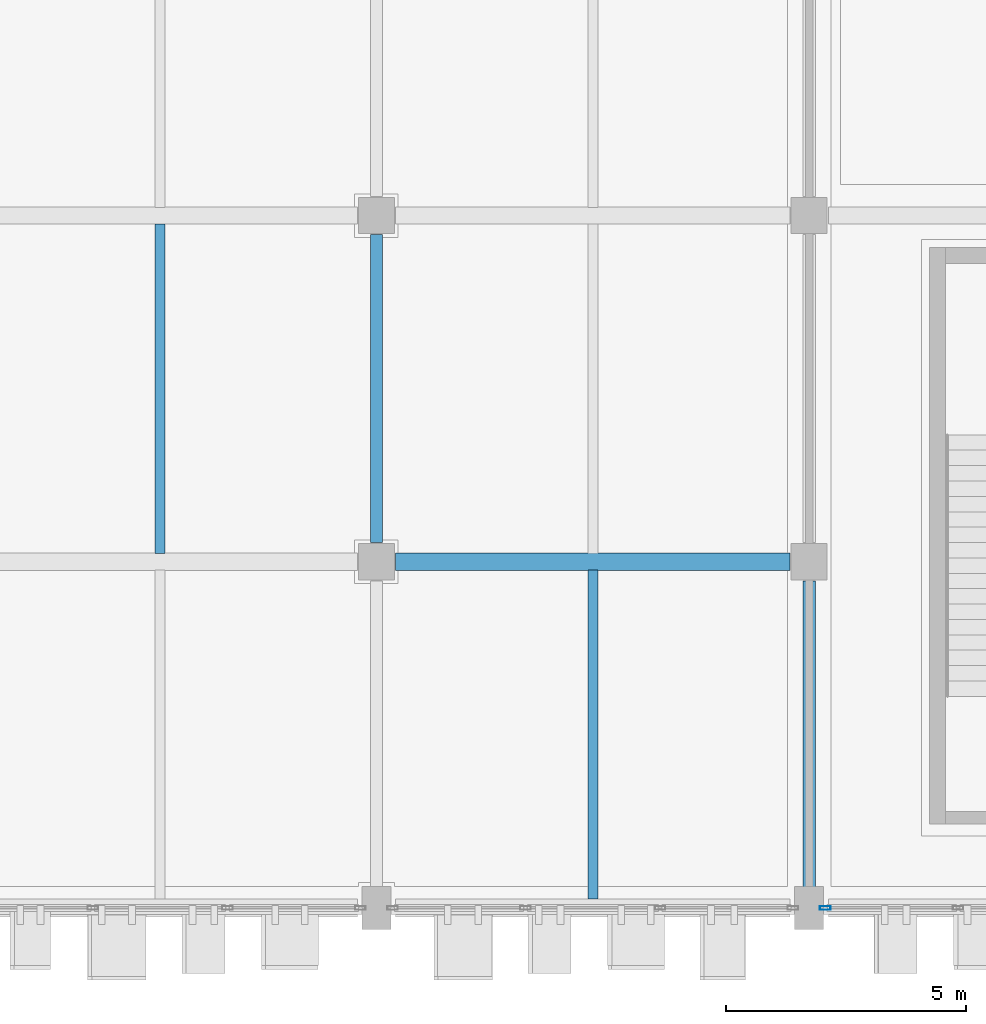
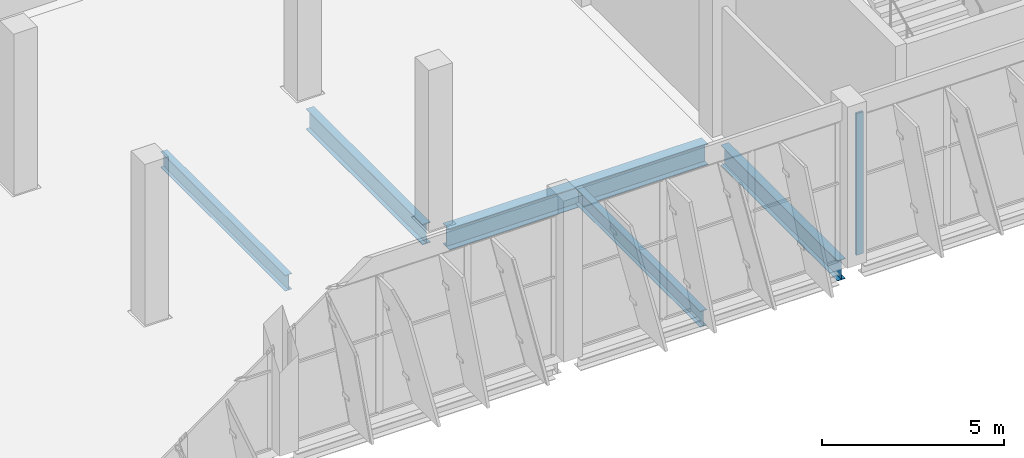
# One storey, part 46 of 137: 5 beams, 1 member, 1 element without a shape of its own.
"""IFC4 building model written with IfcOpenShell, lengths in metres."""

import ifcopenshell
import ifcopenshell.guid

model = None  # the IFC model being written
_history = None  # IfcOwnerHistory: only IFC2X3 demands one
_inside = {}  # id of a spatial element -> (the spatial element, [elements in it])
_under = {}  # id of a project, library or spatial element -> (it, [spatial elements below it])
_declared = {}  # id of a project -> (the project, [libraries it declares])
_typed = {}  # id of a type object -> (the type object, [elements of that type])
_made_of = {}  # id of a material, layer set ... -> (it, [elements and type objects made of it])


def new_model(schema):
    """Start an empty IFC model of exactly this schema.

    Asked for "IFC4X3", IfcOpenShell would pick the latest addendum, in which some entities
    have other attributes; the version numbers below select the first issue.
    IFC2X3 requires an IfcOwnerHistory on every rooted entity: one is made here for all.
    """
    global model, _history
    if schema == "IFC4X3":
        model = ifcopenshell.file(schema_version=(4, 3, 0, 0))
    else:
        model = ifcopenshell.file(schema=schema)
    _inside.clear()
    _under.clear()
    _declared.clear()
    _typed.clear()
    _made_of.clear()
    _history = None
    if model.schema == "IFC2X3":
        org = make("IfcOrganization", Name="unknown")
        user = make(
            "IfcPersonAndOrganization",
            ThePerson=make("IfcPerson", FamilyName="unknown"),
            TheOrganization=org,
        )
        app = make(
            "IfcApplication",
            ApplicationDeveloper=org,
            Version="unknown",
            ApplicationFullName="unknown",
            ApplicationIdentifier="unknown",
        )
        _history = make(
            "IfcOwnerHistory",
            OwningUser=user,
            OwningApplication=app,
            ChangeAction="ADDED",
            CreationDate=0,
        )
    return model


def make(cls, **values):
    """One entity of the class cls with the attributes given. An attribute that is None is left unset."""
    return model.create_entity(
        cls, **{name: value for name, value in values.items() if value is not None}
    )


def rooted(cls, **values):
    """An entity with a GlobalId (a new one), such as an element, a storey or a relation."""
    return make(cls, GlobalId=ifcopenshell.guid.new(), OwnerHistory=_history, **values)


def si_unit(unit_type, name, prefix=None):
    """IfcSIUnit, for example si_unit("LENGTHUNIT", "METRE", prefix="MILLI")."""
    return make("IfcSIUnit", UnitType=unit_type, Prefix=prefix, Name=name)


def assignment(units):
    """IfcUnitAssignment: the units of a project."""
    return None if units is None else make("IfcUnitAssignment", Units=units)


def point(xyz):
    """IfcCartesianPoint."""
    return None if xyz is None else make("IfcCartesianPoint", Coordinates=xyz)


def direction(xyz):
    """IfcDirection."""
    return None if xyz is None else make("IfcDirection", DirectionRatios=xyz)


def frame(location, z_axis=None, x_axis=None):
    """IfcAxis2Placement3D, a coordinate frame: its origin and axes. An axis left out is left unset."""
    return make(
        "IfcAxis2Placement3D",
        Location=point(location),
        Axis=direction(z_axis),
        RefDirection=direction(x_axis),
    )


def frame_2d(location, x_axis=None):
    """IfcAxis2Placement2D, a coordinate frame in the plane: its origin and x axis."""
    return make(
        "IfcAxis2Placement2D", Location=point(location), RefDirection=direction(x_axis)
    )


def origin():
    """The frame at (0, 0, 0) with its axes left unset."""
    return frame((0.0, 0.0, 0.0))


def origin_2d():
    """The frame at (0, 0) in the plane with its x axis left unset."""
    return frame_2d((0.0, 0.0))


def place(relative_to, where):
    """IfcLocalPlacement: puts the frame where relative to a parent placement (None: the world)."""
    return make(
        "IfcLocalPlacement", PlacementRelTo=relative_to, RelativePlacement=where
    )


def context(
    kind, dimensions, precision=None, world=None, true_north=None, identifier=None
):
    """IfcGeometricRepresentationContext, for example the 3D "Model" context."""
    return make(
        "IfcGeometricRepresentationContext",
        ContextIdentifier=identifier,
        ContextType=kind,
        CoordinateSpaceDimension=dimensions,
        Precision=precision,
        WorldCoordinateSystem=world,
        TrueNorth=true_north,
    )


def subcontext(parent, identifier, kind, view, scale=None):
    """IfcGeometricRepresentationSubContext, for example "Body" below "Model"."""
    return make(
        "IfcGeometricRepresentationSubContext",
        ContextIdentifier=identifier,
        ContextType=kind,
        ParentContext=parent,
        TargetScale=scale,
        TargetView=view,
    )


def project(units=None, contexts=None):
    """IfcProject with its units and contexts."""
    return rooted(
        "IfcProject",
        Name="project",
        RepresentationContexts=contexts,
        UnitsInContext=assignment(units),
    )


def spatial(cls, under=None, at=None, **own):
    """A site, building, storey or space (cls), placed at a placement, below another one or the project."""
    s = rooted(cls, ObjectPlacement=at, **own)
    if under is not None:
        _under.setdefault(under.id(), (under, []))[1].append(s)
    return s


def profile(cls, at=None, kind="AREA", **sizes):
    """A parametric profile (cls). Its sizes go by their IFC names, for example OverallWidth=200.0."""
    return make(cls, ProfileType=kind, Position=at, **sizes)


def hollow_rectangle(**sizes):
    """IfcRectangleHollowProfileDef."""
    return profile("IfcRectangleHollowProfileDef", **sizes)


def i_section(**sizes):
    """IfcIShapeProfileDef."""
    return profile("IfcIShapeProfileDef", **sizes)


def extrude(swept, where, along, depth):
    """IfcExtrudedAreaSolid: the profile swept, set in the frame where, extruded along a direction by depth."""
    return make(
        "IfcExtrudedAreaSolid",
        SweptArea=swept,
        Position=where,
        ExtrudedDirection=direction(along),
        Depth=depth,
    )


def shape(context_of_items, identifier, shape_type, items):
    """IfcShapeRepresentation: the items that make up one representation, for example the "Body"."""
    return make(
        "IfcShapeRepresentation",
        ContextOfItems=context_of_items,
        RepresentationIdentifier=identifier,
        RepresentationType=shape_type,
        Items=items,
    )


def material(Name=None, Category=None):
    """IfcMaterial."""
    return make("IfcMaterial", Name=Name, Category=Category)


def layer(
    of_material, thickness, ventilated=None, Name=None, Category=None, Priority=None
):
    """IfcMaterialLayer: one layer of a wall or slab, of a material (None: an air gap)."""
    return make(
        "IfcMaterialLayer",
        Material=of_material,
        LayerThickness=thickness,
        IsVentilated=ventilated,
        Name=Name,
        Category=Category,
        Priority=Priority,
    )


def layer_set(layers, Name=None):
    """IfcMaterialLayerSet."""
    return make("IfcMaterialLayerSet", MaterialLayers=layers, LayerSetName=Name)


def material_profile(
    of_material, cross_section, Name=None, Category=None, Priority=None
):
    """IfcMaterialProfile: a cross section and its material."""
    return make(
        "IfcMaterialProfile",
        Name=Name,
        Material=of_material,
        Profile=cross_section,
        Priority=Priority,
        Category=Category,
    )


def profile_set(profiles, Name=None, composite=None):
    """IfcMaterialProfileSet."""
    return make(
        "IfcMaterialProfileSet",
        Name=Name,
        MaterialProfiles=profiles,
        CompositeProfile=composite,
    )


def made_of(thing, what):
    """Note that an element or type object is made of a material, layer set ...; save() writes the relation."""
    if what is not None:
        _made_of.setdefault(what.id(), (what, []))[1].append(thing)
    return thing


def type_object(cls, material=None, **own):
    """A type object (cls), such as IfcWallType, which elements share."""
    return made_of(rooted(cls, **own), material)


def element(
    cls,
    number,
    at=None,
    inside=None,
    cuts=None,
    type_object=None,
    material=None,
    context=None,
    identifier="Body",
    shape_type=None,
    held_by="IfcProductDefinitionShape",
    body=None,
    shapes=None,
    **own,
):
    """One element of the class cls, such as IfcWall. Its Tag is "e" and its number.

    at: its placement. inside: the storey or other place that contains it. cuts: it is an
    opening in that element (IfcRelVoidsElement). A single representation is given by context,
    identifier, shape_type and body (its items); several are given by shapes. held_by: the class
    of the entity that holds the representations. save() writes the other relations.
    """
    e = rooted(cls, Tag="e%d" % number, ObjectPlacement=at, **own)
    if body is not None:
        shapes = [shape(context, identifier, shape_type, body)]
    if shapes is not None:
        e.Representation = make(held_by, Representations=shapes)
    if inside is not None:
        _inside.setdefault(inside.id(), (inside, []))[1].append(e)
    if cuts is not None:
        rooted(
            "IfcRelVoidsElement", RelatingBuildingElement=cuts, RelatedOpeningElement=e
        )
    if type_object is not None:
        _typed.setdefault(type_object.id(), (type_object, []))[1].append(e)
    return made_of(e, material)


def aggregate(whole, parts):
    """IfcRelAggregates: a whole, such as a stair, and the parts it consists of."""
    return rooted("IfcRelAggregates", RelatingObject=whole, RelatedObjects=parts)


def save(model, path):
    """Write the relations noted so far, then the file.

    IfcRelAggregates (storeys below a building ...), IfcRelContainedInSpatialStructure (elements
    in a storey), IfcRelDefinesByType, IfcRelAssociatesMaterial and IfcRelDeclares: one each for
    every whole, place, type object, material and project.
    """
    for whole, parts in _under.values():
        aggregate(whole, parts)
    for where, things in _inside.values():
        rooted(
            "IfcRelContainedInSpatialStructure",
            RelatedElements=things,
            RelatingStructure=where,
        )
    for kind, things in _typed.values():
        rooted("IfcRelDefinesByType", RelatedObjects=things, RelatingType=kind)
    for what, things in _made_of.values():
        rooted("IfcRelAssociatesMaterial", RelatedObjects=things, RelatingMaterial=what)
    for by, libraries in _declared.values():
        rooted("IfcRelDeclares", RelatingContext=by, RelatedDefinitions=libraries)
    model.write(path)


model = new_model("IFC4")

# Units and contexts
model_context = context("Model", 3, precision=1e-05, world=origin(), true_north=direction((0.0, 1.0)))
body_context = subcontext(model_context, "Body", "Model", "MODEL_VIEW")
ifc_project = project(units=[si_unit("LENGTHUNIT", "METRE"), si_unit("AREAUNIT", "SQUARE_METRE"), si_unit("VOLUMEUNIT", "CUBIC_METRE"), si_unit("PLANEANGLEUNIT", "RADIAN"), si_unit("MASSUNIT", "GRAM", prefix="KILO")], contexts=[model_context])

# Site, building, storey
site_placement = place(None, origin())
site = spatial("IfcSite", under=ifc_project, at=site_placement, CompositionType="ELEMENT")
building_placement = place(site_placement, origin())
building = spatial("IfcBuilding", under=site, at=building_placement, Name="Celestram Park Convention Centre", CompositionType="ELEMENT")
storey_placement = place(building_placement, origin())
storey = spatial("IfcBuildingStorey", under=building, at=storey_placement, Name="L00", CompositionType="ELEMENT", Elevation=0.0)

# Curtain wall, member
ifc_material_1 = material(Name="Anodised Aluminium Alloy 6063-T6", Category="aluminium")
ifc_layer = layer(ifc_material_1, 0.179931640625)
ifc_layer_set = layer_set([ifc_layer], Name="Anodised Aluminium Alloy 6063-T6")
curtain_wall_type = type_object("IfcCurtainWallType", Name="ARC-CW-840X475", PredefinedType="NOTDEFINED", material=ifc_layer_set)
curtain_wall_placement = place(storey_placement, origin())
curtain_wall = element("IfcCurtainWall", 1, at=curtain_wall_placement, inside=storey, type_object=curtain_wall_type, Name="Unitised curtain wall CU-L00-026", PredefinedType="NOTDEFINED")
ifc_material_profile_1 = material_profile(ifc_material_1, hollow_rectangle(XDim=0.074951171875, YDim=0.219970703125, WallThickness=0.00390625, at=origin_2d()), Name="ALU75X220X4")
ifc_profile_set_1 = profile_set([ifc_material_profile_1], Name="Anodised Aluminium Alloy 6063-T6")
member_type = type_object("IfcMemberType", Name="ARC-CWM-180", PredefinedType="MULLION", material=ifc_profile_set_1)
member_placement = place(storey_placement, frame((207.33544921875, 0.0, 0.0), z_axis=(0.0, 0.0, 1.0), x_axis=(0.0, -1.0, 0.0)))
member = element("IfcMember", 2, at=member_placement, type_object=member_type, Name="CW-84X47 mullion 4", PredefinedType="MULLION", context=body_context, shape_type="SweptSolid", body=[
    extrude(hollow_rectangle(XDim=0.074951171875, YDim=0.219970703125, WallThickness=0.00390625, at=origin_2d()), origin(), (0.0, 0.0, 1.0), 4.7470703125),
])
aggregate(curtain_wall, [member])

# Beams
ifc_material_2 = material(Name="Steel ASTM A992 Grade 50", Category="steel")
ifc_material_profile_2 = material_profile(ifc_material_2, i_section(OverallWidth=0.35595703125, OverallDepth=0.696044921875, WebThickness=0.015380859375, FlangeThickness=0.02490234375, at=origin_2d()), Name="W27X146")
ifc_profile_set_2 = profile_set([ifc_material_profile_2], Name="Steel ASTM A992 Grade 50")
beam_type_1 = type_object("IfcBeamType", Name="STR-BM-W27X146", PredefinedType="BEAM", material=ifc_profile_set_2)
beam_1_placement = place(storey_placement, frame((198.39794921875, 7.199951171875, -0.66796875), z_axis=(1.0, 0.0, 0.0), x_axis=(0.0, 1.0, 0.0)))
element("IfcBeam", 3, at=beam_1_placement, inside=storey, type_object=beam_type_1, Name="Primary X-girder BG-L00-0823", PredefinedType="BEAM", context=body_context, shape_type="SweptSolid", body=[
    extrude(i_section(OverallWidth=0.35595703125, OverallDepth=0.696044921875, WebThickness=0.015380859375, FlangeThickness=0.02490234375, at=origin_2d()), origin(), (0.0, 0.0, 1.0), 8.2041015625),
])
ifc_material_profile_3 = material_profile(ifc_material_2, i_section(OverallWidth=0.25390625, OverallDepth=0.68310546875, WebThickness=0.012451171875, FlangeThickness=0.01904296875, at=origin_2d()), Name="W27X94")
ifc_profile_set_3 = profile_set([ifc_material_profile_3], Name="Steel ASTM A992 Grade 50")
beam_type_2 = type_object("IfcBeamType", Name="STR-BM-W27X94", PredefinedType="BEAM", material=ifc_profile_set_3)
for number, where, z_axis, x_axis, name in (
    (4, (198.0, 7.597900390625, -0.66162109375), (0.0, 1.0, 0.0), (-1.0, 0.0, 0.0), "Primary Y-girder BG-L00-0824"),
    (5, (207.0, 0.39794921875, -0.66162109375), (0.0, 1.0, 0.0), (-1.0, 0.0, 0.0), "Primary Y-girder BG-L00-0848"),
):
    element("IfcBeam", number, at=place(storey_placement, frame(where, z_axis=z_axis, x_axis=x_axis)), inside=storey, type_object=beam_type_2, Name=name, PredefinedType="BEAM", context=body_context, shape_type="SweptSolid", body=[
        extrude(i_section(OverallWidth=0.25390625, OverallDepth=0.68310546875, WebThickness=0.012451171875, FlangeThickness=0.01904296875, at=origin_2d()), origin(), (0.0, 0.0, 1.0), 6.404052734375),
    ])
ifc_material_profile_4 = material_profile(ifc_material_2, i_section(OverallWidth=0.2099609375, OverallDepth=0.532958984375, WebThickness=0.01025390625, FlangeThickness=0.015625, at=origin_2d()), Name="W21X62")
ifc_profile_set_4 = profile_set([ifc_material_profile_4], Name="Steel ASTM A992 Grade 50")
beam_type_3 = type_object("IfcBeamType", Name="STR-JST-W21X62", PredefinedType="JOIST", material=ifc_profile_set_4)
beam_2_placement = place(storey_placement, frame((193.5, 7.3740234375, -0.58642578125), z_axis=(0.0, 1.0, 0.0), x_axis=(-1.0, 0.0, 0.0)))
element("IfcBeam", 6, at=beam_2_placement, inside=storey, type_object=beam_type_3, Name="Secondary composite joist BG-L00-1221", PredefinedType="JOIST", context=body_context, shape_type="SweptSolid", body=[
    extrude(i_section(OverallWidth=0.2099609375, OverallDepth=0.532958984375, WebThickness=0.01025390625, FlangeThickness=0.015625, at=origin_2d()), origin(), (0.0, 0.0, 1.0), 6.85205078125),
])
beam_3_placement = place(storey_placement, frame((202.5, 0.181884765625, -0.58642578125), z_axis=(0.0, 1.0, 0.0), x_axis=(-1.0, 0.0, 0.0)))
element("IfcBeam", 7, at=beam_3_placement, inside=storey, type_object=beam_type_3, Name="Secondary composite joist BG-L00-1232", PredefinedType="JOIST", context=body_context, shape_type="SweptSolid", body=[
    extrude(i_section(OverallWidth=0.2099609375, OverallDepth=0.532958984375, WebThickness=0.01025390625, FlangeThickness=0.015625, at=origin_2d()), origin(), (0.0, 0.0, 1.0), 6.843994140625),
])

save(model, "model.ifc")
